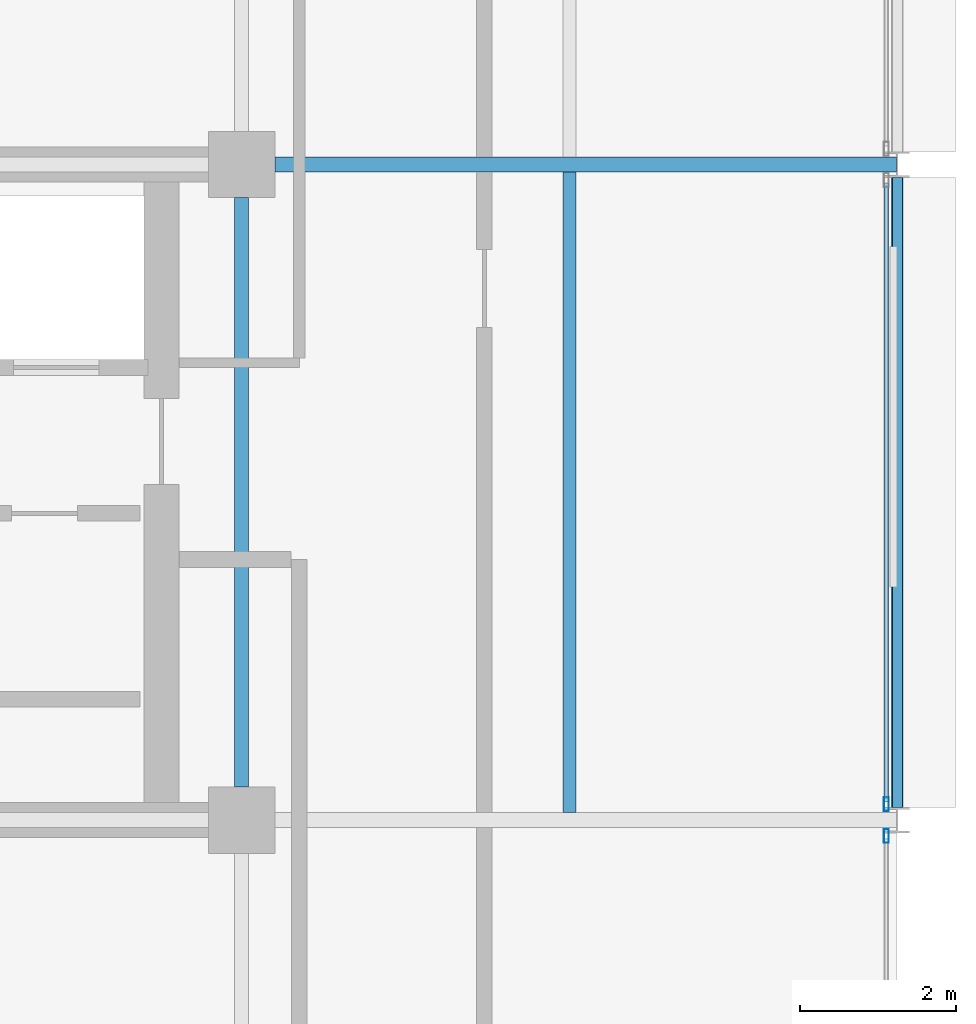
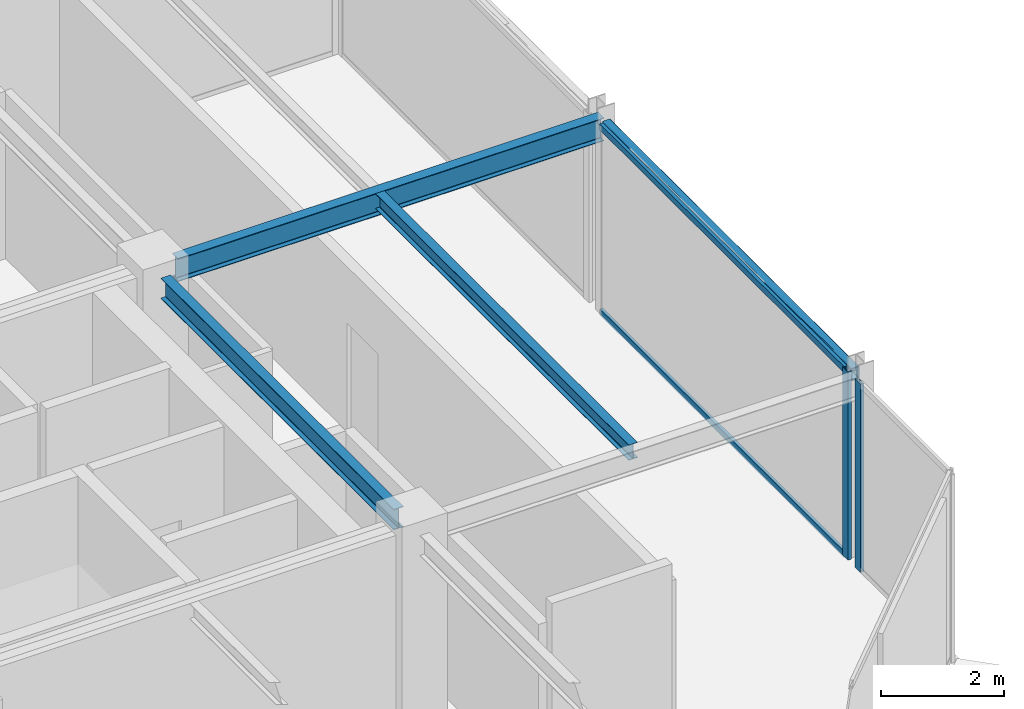
# One storey, part 15 of 27: 4 beams, 4 members, 2 elements without a shape of their own.
"""IFC4 building model written with IfcOpenShell, lengths in metres."""

from ifc_helpers import new_model, si_unit, direction, frame, origin, origin_2d, place, context, subcontext, project, spatial, hollow_rectangle, i_section, extrude, material, layer, layer_set, material_profile, profile_set, type_object, element, aggregate, save


model = new_model("IFC4")

# Units and contexts
model_context = context("Model", 3, precision=1e-05, world=origin(), true_north=direction((0.0, 1.0)))
body_context = subcontext(model_context, "Body", "Model", "MODEL_VIEW")
ifc_project = project(units=[si_unit("LENGTHUNIT", "METRE"), si_unit("AREAUNIT", "SQUARE_METRE"), si_unit("VOLUMEUNIT", "CUBIC_METRE"), si_unit("PLANEANGLEUNIT", "RADIAN"), si_unit("MASSUNIT", "GRAM", prefix="KILO")], contexts=[model_context])

# Site, building, storey
site_placement = place(None, origin())
site = spatial("IfcSite", under=ifc_project, at=site_placement, CompositionType="ELEMENT")
building_placement = place(site_placement, origin())
building = spatial("IfcBuilding", under=site, at=building_placement, Name="Nerrivon Quay Data Exchange", CompositionType="ELEMENT")
storey_placement = place(building_placement, frame((0.0, 0.0, 278.199951171875)))
storey = spatial("IfcBuildingStorey", under=building, at=storey_placement, Name="L66", CompositionType="ELEMENT", Elevation=278.199951171875)

# Beams
ifc_material_1 = material(Name="Steel Grade 350", Category="steel")
ifc_material_profile_1 = material_profile(ifc_material_1, i_section(OverallWidth=0.18994140625, OverallDepth=0.4541015625, WebThickness=0.008544921875, FlangeThickness=0.0126953125, FilletRadius=0.011474609375, at=origin_2d()), Name="460UB67.1")
ifc_profile_set_1 = profile_set([ifc_material_profile_1], Name="Steel Grade 350")
beam_type_1 = type_object("IfcBeamType", Name="BM-G6-460UB67", PredefinedType="BEAM", material=ifc_profile_set_1)
beam_1_placement = place(storey_placement, frame((34.02490234375, 16.800048828125, 3.498046875), z_axis=(1.0, 0.0, 0.0), x_axis=(0.0, 1.0, 0.0)))
element("IfcBeam", 1, at=beam_1_placement, inside=storey, type_object=beam_type_1, Name="L66 EW Girder Y=16.8 (33.6..42.0)", PredefinedType="BEAM", context=body_context, shape_type="SweptSolid", body=[
    extrude(i_section(OverallWidth=0.18994140625, OverallDepth=0.4541015625, WebThickness=0.008544921875, FlangeThickness=0.0126953125, FilletRadius=0.011474609375, at=origin_2d()), origin(), (0.0, 0.0, 1.0), 7.96728515625),
])
ifc_material_profile_2 = material_profile(ifc_material_1, i_section(OverallWidth=0.177978515625, OverallDepth=0.406005859375, WebThickness=0.0078125, FlangeThickness=0.0126953125, FilletRadius=0.011474609375, at=origin_2d()), Name="410UB59.7")
ifc_profile_set_2 = profile_set([ifc_material_profile_2], Name="Steel Grade 350")
beam_type_2 = type_object("IfcBeamType", Name="BM-J1-410UB60", PredefinedType="JOIST", material=ifc_profile_set_2)
beam_2_placement = place(storey_placement, frame((33.60009765625, 8.824951171875, 3.52197265625), z_axis=(0.0, 1.0, 0.0), x_axis=(-1.0, 0.0, 0.0)))
element("IfcBeam", 2, at=beam_2_placement, inside=storey, type_object=beam_type_2, Name="L66 NS Girder X=33.6 (8.4..16.8)", PredefinedType="JOIST", context=body_context, shape_type="SweptSolid", body=[
    extrude(i_section(OverallWidth=0.177978515625, OverallDepth=0.406005859375, WebThickness=0.0078125, FlangeThickness=0.0126953125, FilletRadius=0.011474609375, at=origin_2d()), origin(), (0.0, 0.0, 1.0), 7.550048828125),
])
ifc_material_profile_3 = material_profile(ifc_material_1, i_section(OverallWidth=0.1650390625, OverallDepth=0.303955078125, WebThickness=0.006103515625, FlangeThickness=0.01025390625, FilletRadius=0.011474609375, at=origin_2d()), Name="310UB40.4")
ifc_profile_set_3 = profile_set([ifc_material_profile_3], Name="Steel Grade 350")
beam_type_3 = type_object("IfcBeamType", Name="BM-J6-310UB40", PredefinedType="JOIST", material=ifc_profile_set_3)
beam_3_placement = place(storey_placement, frame((37.800048828125, 8.4951171875, 3.572998046875), z_axis=(0.0, 1.0, 0.0), x_axis=(-1.0, 0.0, 0.0)))
element("IfcBeam", 3, at=beam_3_placement, inside=storey, type_object=beam_type_3, Name="L66 Secondary Joist X=37.8 (8.4..16.8)", PredefinedType="JOIST", context=body_context, shape_type="SweptSolid", body=[
    extrude(i_section(OverallWidth=0.1650390625, OverallDepth=0.303955078125, WebThickness=0.006103515625, FlangeThickness=0.01025390625, FilletRadius=0.011474609375, at=origin_2d()), origin(), (0.0, 0.0, 1.0), 8.2099609375),
])
ifc_material_2 = material(Name="Steel Grade C350L0 (350 MPa)", Category="steel")
ifc_material_profile_4 = material_profile(ifc_material_2, hollow_rectangle(XDim=0.14990234375, YDim=0.25, WallThickness=0.009033203125, InnerFilletRadius=0.013427734375, OuterFilletRadius=0.0224609375, at=origin_2d()), Name="250x150x9.0RHS")
ifc_profile_set_4 = profile_set([ifc_material_profile_4], Name="Steel Grade C350L0 (350 MPa)")
beam_type_4 = type_object("IfcBeamType", Name="BM-SP4-250x150RHS", PredefinedType="SPANDREL", material=ifc_profile_set_4)
beam_4_placement = place(storey_placement, frame((42.0, 8.5634765625, 3.60009765625), z_axis=(0.0, 1.0, 0.0), x_axis=(-1.0, 0.0, 0.0)))
element("IfcBeam", 4, at=beam_4_placement, inside=storey, type_object=beam_type_4, Name="L66 NS Girder X=42.0 (8.4..16.8)", PredefinedType="SPANDREL", context=body_context, shape_type="SweptSolid", body=[
    extrude(hollow_rectangle(XDim=0.14990234375, YDim=0.25, WallThickness=0.009033203125, InnerFilletRadius=0.013427734375, OuterFilletRadius=0.0224609375, at=origin_2d()), origin(), (0.0, 0.0, 1.0), 8.072998046875),
])

# Curtain wall, member
ifc_material_3 = material(Name="Anodised aluminium 6063-T6", Category="aluminium")
ifc_layer = layer(ifc_material_3, 0.195068359375)
ifc_layer_set = layer_set([ifc_layer], Name="Anodised aluminium 6063-T6")
curtain_wall_type = type_object("IfcCurtainWallType", Name="CW-SYS-06", PredefinedType="NOTDEFINED", material=ifc_layer_set)
curtain_wall_1_placement = place(storey_placement, origin())
curtain_wall_1 = element("IfcCurtainWall", 5, at=curtain_wall_1_placement, inside=storey, type_object=curtain_wall_type, Name="L66 Unitised Curtain Wall 27", PredefinedType="NOTDEFINED")
ifc_material_profile_5 = material_profile(ifc_material_3, hollow_rectangle(XDim=0.06494140625, YDim=0.179931640625, WallThickness=0.00341796875, at=origin_2d()), Name="ALU-MULL-180x65")
ifc_profile_set_5 = profile_set([ifc_material_profile_5], Name="Anodised aluminium 6063-T6")
member_type_1 = type_object("IfcMemberType", Name="CWM-180x65", PredefinedType="MULLION", material=ifc_profile_set_5)
member_1_placement = place(storey_placement, frame((41.860107421875, 8.60107421875, 0.0), z_axis=(0.0, 0.0, 1.0), x_axis=(1.0, 0.0, 0.0)))
member_1 = element("IfcMember", 6, at=member_1_placement, type_object=member_type_1, Name="CW06 mullion 2", PredefinedType="MULLION", context=body_context, shape_type="SweptSolid", body=[
    extrude(hollow_rectangle(XDim=0.06494140625, YDim=0.179931640625, WallThickness=0.00341796875, at=origin_2d()), origin(), (0.0, 0.0, 1.0), 3.72509765625),
])

curtain_wall_2_placement = place(storey_placement, origin())
curtain_wall_2 = element("IfcCurtainWall", 7, at=curtain_wall_2_placement, inside=storey, type_object=curtain_wall_type, Name="L66 Unitised Curtain Wall 28", PredefinedType="NOTDEFINED")
member_2_placement = place(storey_placement, frame((41.860107421875, 8.198974609375, 0.0), z_axis=(0.0, 0.0, 1.0), x_axis=(1.0, 0.0, 0.0)))
member_2 = element("IfcMember", 8, at=member_2_placement, type_object=member_type_1, Name="CW06 mullion 1", PredefinedType="MULLION", context=body_context, shape_type="SweptSolid", body=[
    extrude(hollow_rectangle(XDim=0.06494140625, YDim=0.179931640625, WallThickness=0.00341796875, at=origin_2d()), origin(), (0.0, 0.0, 1.0), 3.72509765625),
])
aggregate(curtain_wall_2, [member_2])

# Member
ifc_material_profile_6 = material_profile(ifc_material_3, hollow_rectangle(XDim=0.06005859375, YDim=0.1201171875, WallThickness=0.003173828125, at=origin_2d()), Name="ALU-TRAN-120x60")
ifc_profile_set_6 = profile_set([ifc_material_profile_6], Name="Anodised aluminium 6063-T6")
member_type_2 = type_object("IfcMemberType", Name="CWT-120x60", PredefinedType="USERDEFINED", material=ifc_profile_set_6)
member_3_placement = place(storey_placement, frame((41.860107421875, 16.5615234375, 0.032470703125), z_axis=(0.0, -1.0, 0.0), x_axis=(1.0, 0.0, 0.0)))
member_3 = element("IfcMember", 9, at=member_3_placement, type_object=member_type_2, Name="CW06 transom 1.1", ObjectType="TRANSOM", PredefinedType="USERDEFINED", context=body_context, shape_type="SweptSolid", body=[
    extrude(hollow_rectangle(XDim=0.06005859375, YDim=0.1201171875, WallThickness=0.003173828125, at=origin_2d()), origin(), (0.0, 0.0, 1.0), 7.923095703125),
])

member_4_placement = place(storey_placement, frame((41.860107421875, 16.5615234375, 3.692626953125), z_axis=(0.0, -1.0, 0.0), x_axis=(1.0, 0.0, 0.0)))
member_4 = element("IfcMember", 10, at=member_4_placement, type_object=member_type_2, Name="CW06 transom 1.2", ObjectType="TRANSOM", PredefinedType="USERDEFINED", context=body_context, shape_type="SweptSolid", body=[
    extrude(hollow_rectangle(XDim=0.06005859375, YDim=0.1201171875, WallThickness=0.003173828125, at=origin_2d()), origin(), (0.0, 0.0, 1.0), 7.923095703125),
])

aggregate(curtain_wall_1, [member_1, member_3, member_4])

save(model, "model.ifc")
